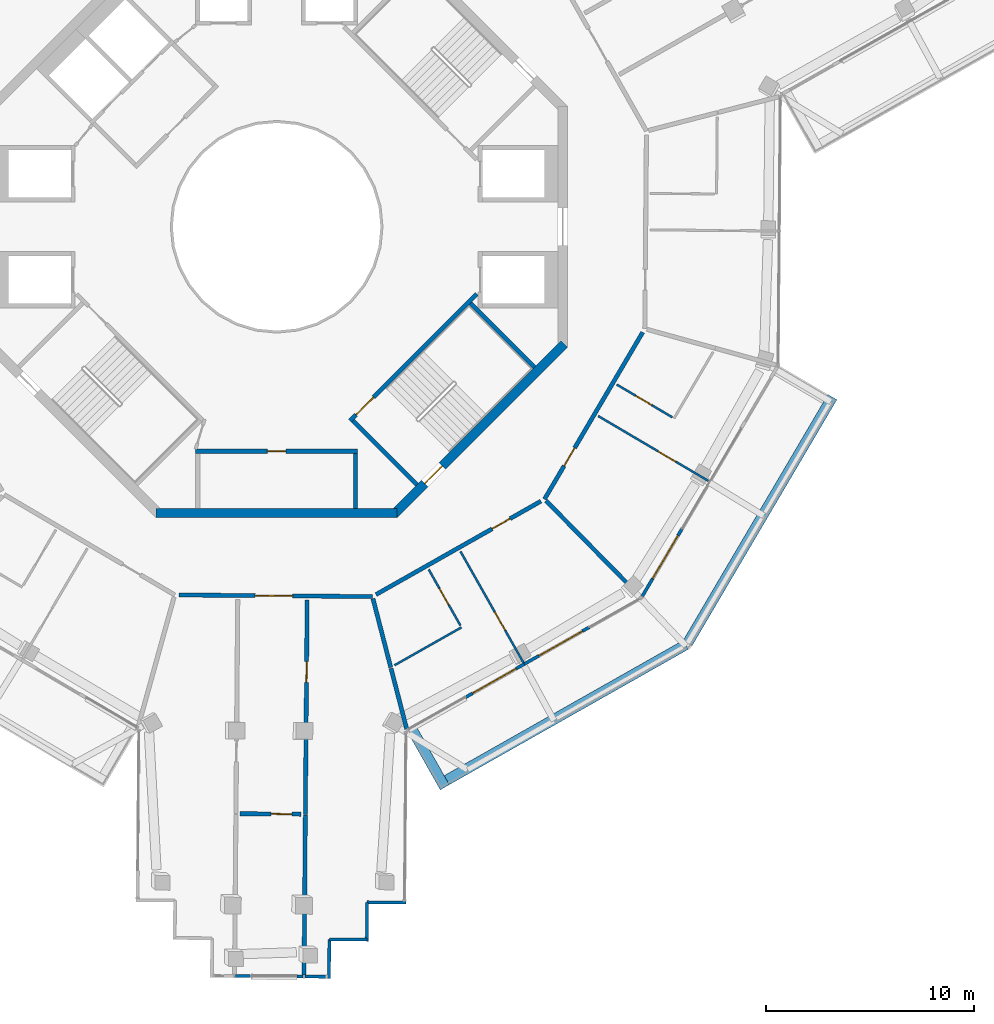
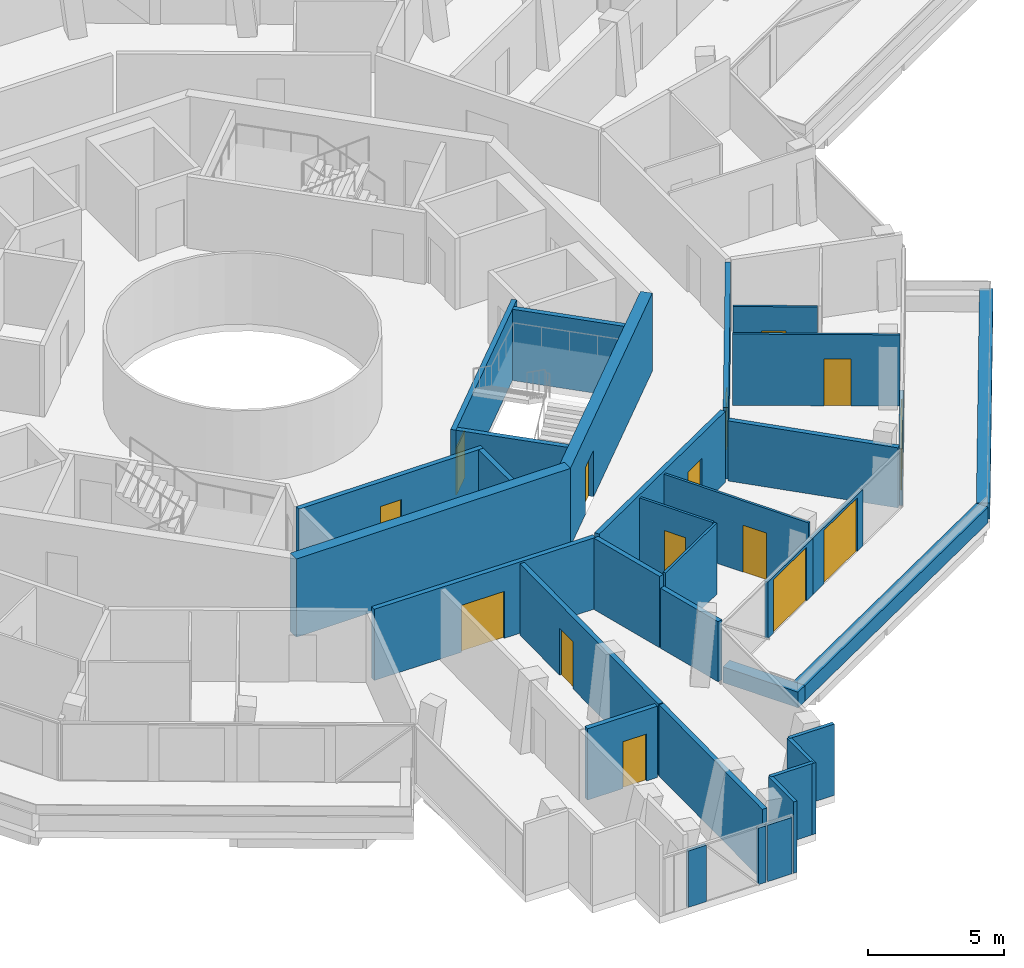
# One storey, part 17 of 24: 34 walls, 15 doors, 15 openings.
"""IFC4 building model written with IfcOpenShell, lengths in metres."""

from ifc_helpers import new_model, si_unit, direction, frame, frame_2d, origin, place, context, subcontext, project, spatial, rectangle, extrude, material, layer, layer_set, type_object, element, fill, save


model = new_model("IFC4")

# Units and contexts
model_context = context("Model", 3, precision=1e-05, world=origin(), true_north=direction((0.0, 1.0)))
body_context = subcontext(model_context, "Body", "Model", "MODEL_VIEW")
ifc_project = project(units=[si_unit("LENGTHUNIT", "METRE"), si_unit("AREAUNIT", "SQUARE_METRE"), si_unit("VOLUMEUNIT", "CUBIC_METRE"), si_unit("PLANEANGLEUNIT", "RADIAN"), si_unit("MASSUNIT", "GRAM", prefix="KILO")], contexts=[model_context])

# Site, building, storey
site_placement = place(None, origin())
site = spatial("IfcSite", under=ifc_project, at=site_placement, CompositionType="ELEMENT")
building_placement = place(site_placement, origin())
building = spatial("IfcBuilding", under=site, at=building_placement, Name="Verdalira Terraces Hotel", CompositionType="ELEMENT")
storey_placement = place(building_placement, frame((0.0, 0.0, 277.5)))
storey = spatial("IfcBuildingStorey", under=building, at=storey_placement, Name="L68", CompositionType="ELEMENT", Elevation=277.5)

# Walls
ifc_material_1 = material(Name="Concrete C40", Category="concrete")
ifc_layer_1 = layer(ifc_material_1, 0.5)
ifc_layer_set_1 = layer_set([ifc_layer_1], Name="Balcony planter trough with tree")
wall_type_1 = type_object("IfcWallType", Name="Balcony planter trough with tree", PredefinedType="SOLIDWALL", material=ifc_layer_set_1)
wall_1_placement = place(storey_placement, frame((6.514648, -24.189697, 0.0), z_axis=(0.0, 0.0, 1.0), x_axis=(0.492715997, -0.870190179, 0.0)))
element("IfcWall", 1, at=wall_1_placement, inside=storey, type_object=wall_type_1, Name="Balcony planter", PredefinedType="SOLIDWALL", context=body_context, shape_type="SweptSolid", body=[
    extrude(rectangle(XDim=3.198975, YDim=0.5, at=frame_2d((1.599609, 0.0))), origin(), (0.0, 0.0, 1.0), 0.699951),
])
wall_2_placement = place(storey_placement, frame((8.185303, -26.632568, 0.0), z_axis=(0.0, 0.0, 1.0), x_axis=(0.870181581, 0.492731181, 0.0)))
element("IfcWall", 2, at=wall_2_placement, inside=storey, type_object=wall_type_1, Name="Balcony planter", PredefinedType="SOLIDWALL", context=body_context, shape_type="SweptSolid", body=[
    extrude(rectangle(XDim=13.223389, YDim=0.5, at=frame_2d((6.611816, 0.0))), origin(), (0.0, 0.0, 1.0), 0.699951),
])
wall_3_placement = place(storey_placement, frame((19.78418, -20.026367, 0.0), z_axis=(0.0, 0.0, 1.0), x_axis=(0.507246349, 0.861801103, 0.0)))
element("IfcWall", 3, at=wall_3_placement, inside=storey, type_object=wall_type_1, Name="Balcony planter", PredefinedType="SOLIDWALL", context=body_context, shape_type="SweptSolid", body=[
    extrude(rectangle(XDim=13.723389, YDim=0.5, at=frame_2d((6.861816, 0.0))), origin(), (0.0, 0.0, 1.0), 0.699951),
])
ifc_material_2 = material(Name="Moisture-resistant gypsum board partition")
ifc_layer_2 = layer(ifc_material_2, 0.10009765625)
ifc_layer_set_2 = layer_set([ifc_layer_2], Name="Bathroom partition 100 mm")
wall_type_2 = type_object("IfcWallType", Name="Bathroom partition 100 mm", PredefinedType="PARTITIONING", material=ifc_layer_set_2)
wall_4_placement = place(storey_placement, frame((5.672119, -21.103027, 0.0), z_axis=(0.0, 0.0, 1.0), x_axis=(0.870195537, 0.492706532, 0.0)))
element("IfcWall", 4, at=wall_4_placement, inside=storey, type_object=wall_type_2, Name="Bathroom partition", PredefinedType="PARTITIONING", context=body_context, shape_type="SweptSolid", body=[
    extrude(rectangle(XDim=3.703857, YDim=0.100098, at=frame_2d((1.852051, 0.0))), origin(), (0.0, 0.0, 1.0), 3.189941),
])

# Wall, opening, door
wall_5_placement = place(storey_placement, frame((8.845947, -19.190918, 0.0), z_axis=(0.0, 0.0, 1.0), x_axis=(-0.492708506, 0.870194419, 0.0)))
wall_5 = element("IfcWall", 5, at=wall_5_placement, inside=storey, type_object=wall_type_2, Name="Bathroom partition", PredefinedType="PARTITIONING", context=body_context, shape_type="SweptSolid", body=[
    extrude(rectangle(XDim=3.099854, YDim=0.100098, at=frame_2d((1.549805, 0.0))), origin(), (0.0, 0.0, 1.0), 3.189941),
])
opening_1_placement = place(wall_5_placement, frame((1.149902, 0.0, 0.0)))
opening_1 = element("IfcOpeningElement", 6, at=opening_1_placement, cuts=wall_5, Name="Opening L68-117", PredefinedType="OPENING", context=body_context, shape_type="SweptSolid", body=[
    extrude(rectangle(XDim=0.899902, YDim=2.100098, at=frame_2d((0.449951, 1.050049))), frame((0.0, 0.060059, 0.0), z_axis=(0.0, -1.0, 0.0), x_axis=(1.0, 0.0, 0.0)), (0.0, 0.0, 1.0), 0.120117),
])
ifc_material_3 = material(Name="Timber door", Category="wood")
door_type_1 = type_object("IfcDoorType", Name="Bathroom door 900 x 2100", OperationType="NOTDEFINED", PredefinedType="DOOR", material=ifc_material_3)
door_1_placement = place(opening_1_placement, origin())
door_1 = element("IfcDoor", 7, at=door_1_placement, inside=storey, type_object=door_type_1, Name="Bathroom door 6805", OperationType="SINGLE_SWING_LEFT", OverallHeight=2.10009765625, OverallWidth=0.89990234375, PredefinedType="DOOR", context=body_context, shape_type="SweptSolid", body=[
    extrude(rectangle(XDim=0.899902, YDim=2.100098, at=frame_2d((0.449951, 1.050049))), frame((0.0, 0.024902, 0.0), z_axis=(0.0, -1.0, 0.0), x_axis=(1.0, 0.0, 0.0)), (0.0, 0.0, 1.0), 0.050049),
])
fill(opening_1, door_1)

wall_6_placement = place(storey_placement, frame((11.878906, -20.97876, 0.0), z_axis=(0.0, 0.0, 1.0), x_axis=(-0.492715069, 0.870190704, 0.0)))
wall_6 = element("IfcWall", 8, at=wall_6_placement, inside=storey, type_object=wall_type_2, Name="Bathroom partition", PredefinedType="PARTITIONING", context=body_context, shape_type="SweptSolid", body=[
    extrude(rectangle(XDim=6.150146, YDim=0.100098, at=frame_2d((3.075195, 0.0))), origin(), (0.0, 0.0, 1.0), 3.189941),
])
opening_2_placement = place(wall_6_placement, frame((1.800049, 0.0, 0.0)))
opening_2 = element("IfcOpeningElement", 9, at=opening_2_placement, cuts=wall_6, Name="Opening L68-116", PredefinedType="OPENING", context=body_context, shape_type="SweptSolid", body=[
    extrude(rectangle(XDim=1.0, YDim=2.100098, at=frame_2d((0.5, 1.050049))), frame((0.0, 0.060059, 0.0), z_axis=(0.0, -1.0, 0.0), x_axis=(1.0, 0.0, 0.0)), (0.0, 0.0, 1.0), 0.120117),
])
ifc_material_4 = material(Name="Timber door", Category="wood")
door_type_2 = type_object("IfcDoorType", Name="Suite internal door 1000 x 2100", OperationType="NOTDEFINED", PredefinedType="DOOR", material=ifc_material_4)
door_2_placement = place(opening_2_placement, origin())
door_2 = element("IfcDoor", 10, at=door_2_placement, inside=storey, type_object=door_type_2, Name="Suite internal door 6805", OperationType="SINGLE_SWING_LEFT", OverallHeight=2.10009765625, OverallWidth=1.0, PredefinedType="DOOR", context=body_context, shape_type="SweptSolid", body=[
    extrude(rectangle(XDim=1.0, YDim=2.100098, at=frame_2d((0.5, 1.050049))), frame((0.0, 0.024902, 0.0), z_axis=(0.0, -1.0, 0.0), x_axis=(1.0, 0.0, 0.0)), (0.0, 0.0, 1.0), 0.050049),
])
fill(opening_2, door_2)

wall_7_placement = place(storey_placement, frame((16.368408, -7.59375, 0.0), z_axis=(0.0, 0.0, 1.0), x_axis=(0.861798542, -0.5072507, 0.0)))
wall_7 = element("IfcWall", 11, at=wall_7_placement, inside=storey, type_object=wall_type_2, Name="Bathroom partition", PredefinedType="PARTITIONING", context=body_context, shape_type="SweptSolid", body=[
    extrude(rectangle(XDim=3.100098, YDim=0.100098, at=frame_2d((1.550049, 0.0))), origin(), (0.0, 0.0, 1.0), 3.189941),
])
opening_3_placement = place(wall_7_placement, frame((1.050049, 0.0, 0.0)))
opening_3 = element("IfcOpeningElement", 12, at=opening_3_placement, cuts=wall_7, Name="Opening L68-120", PredefinedType="OPENING", context=body_context, shape_type="SweptSolid", body=[
    extrude(rectangle(XDim=0.899902, YDim=2.100098, at=frame_2d((0.449951, 1.050049))), frame((0.0, 0.060059, 0.0), z_axis=(0.0, -1.0, 0.0), x_axis=(1.0, 0.0, 0.0)), (0.0, 0.0, 1.0), 0.120117),
])
door_3_placement = place(opening_3_placement, origin())
door_3 = element("IfcDoor", 13, at=door_3_placement, inside=storey, type_object=door_type_1, Name="Bathroom door 6806", OperationType="SINGLE_SWING_RIGHT", OverallHeight=2.10009765625, OverallWidth=0.89990234375, PredefinedType="DOOR", context=body_context, shape_type="SweptSolid", body=[
    extrude(rectangle(XDim=0.899902, YDim=2.100098, at=frame_2d((0.449951, 1.050049))), frame((0.0, 0.024902, 0.0), z_axis=(0.0, -1.0, 0.0), x_axis=(1.0, 0.0, 0.0)), (0.0, 0.0, 1.0), 0.050049),
])
fill(opening_3, door_3)

wall_8_placement = place(storey_placement, frame((15.476562, -9.109131, 0.0), z_axis=(0.0, 0.0, 1.0), x_axis=(0.861795394, -0.507256048, 0.0)))
wall_8 = element("IfcWall", 14, at=wall_8_placement, inside=storey, type_object=wall_type_2, Name="Bathroom partition", PredefinedType="PARTITIONING", context=body_context, shape_type="SweptSolid", body=[
    extrude(rectangle(XDim=6.149902, YDim=0.100098, at=frame_2d((3.074951, 0.0))), origin(), (0.0, 0.0, 1.0), 3.189941),
])
opening_4_placement = place(wall_8_placement, frame((3.350098, 0.0, 0.0)))
opening_4 = element("IfcOpeningElement", 15, at=opening_4_placement, cuts=wall_8, Name="Opening L68-119", PredefinedType="OPENING", context=body_context, shape_type="SweptSolid", body=[
    extrude(rectangle(XDim=1.0, YDim=2.100098, at=frame_2d((0.5, 1.050049))), frame((0.0, 0.060059, 0.0), z_axis=(0.0, -1.0, 0.0), x_axis=(1.0, 0.0, 0.0)), (0.0, 0.0, 1.0), 0.120117),
])
door_4_placement = place(opening_4_placement, origin())
door_4 = element("IfcDoor", 16, at=door_4_placement, inside=storey, type_object=door_type_2, Name="Suite internal door 6806", OperationType="SINGLE_SWING_LEFT", OverallHeight=2.10009765625, OverallWidth=1.0, PredefinedType="DOOR", context=body_context, shape_type="SweptSolid", body=[
    extrude(rectangle(XDim=1.0, YDim=2.100098, at=frame_2d((0.5, 1.050049))), frame((0.0, 0.024902, 0.0), z_axis=(0.0, -1.0, 0.0), x_axis=(1.0, 0.0, 0.0)), (0.0, 0.0, 1.0), 0.050049),
])
fill(opening_4, door_4)

ifc_material_5 = material(Name="Concrete C50", Category="concrete")
ifc_layer_3 = layer(ifc_material_5, 0.199951171875)
ifc_layer_set_3 = layer_set([ifc_layer_3], Name="Core RC wall 200 C50")
wall_type_3 = type_object("IfcWallType", Name="Core RC wall 200 C50", PredefinedType="SOLIDWALL", material=ifc_layer_set_3)
wall_9_placement = place(storey_placement, frame((-3.899902, -10.800049, 0.0), z_axis=(0.0, 0.0, 1.0), x_axis=(1.0, 0.0, 0.0)))
wall_9 = element("IfcWall", 17, at=wall_9_placement, inside=storey, type_object=wall_type_3, Name="L68 store front wall", PredefinedType="SOLIDWALL", context=body_context, shape_type="SweptSolid", body=[
    extrude(rectangle(XDim=7.799805, YDim=0.199951, at=frame_2d((3.899902, 0.0))), origin(), (0.0, 0.0, 1.0), 3.189941),
])
opening_5_placement = place(wall_9_placement, frame((3.449951, 0.0, 0.0)))
opening_5 = element("IfcOpeningElement", 18, at=opening_5_placement, cuts=wall_9, Name="Opening L68-801", PredefinedType="OPENING", context=body_context, shape_type="SweptSolid", body=[
    extrude(rectangle(XDim=0.899902, YDim=2.100098, at=frame_2d((0.449951, 1.050049))), frame((0.0, 0.109863, 0.0), z_axis=(0.0, -1.0, 0.0), x_axis=(1.0, 0.0, 0.0)), (0.0, 0.0, 1.0), 0.219971),
])
ifc_material_6 = material(Name="Steel fire door", Category="steel")
door_type_3 = type_object("IfcDoorType", Name="Core room door 900 x 2100", OperationType="NOTDEFINED", PredefinedType="DOOR", material=ifc_material_6)
door_5_placement = place(opening_5_placement, origin())
door_5 = element("IfcDoor", 19, at=door_5_placement, inside=storey, type_object=door_type_3, Name="Store door L68 SS", OperationType="SINGLE_SWING_LEFT", OverallHeight=2.10009765625, OverallWidth=0.89990234375, PredefinedType="DOOR", context=body_context, shape_type="SweptSolid", body=[
    extrude(rectangle(XDim=0.899902, YDim=2.100098, at=frame_2d((0.449951, 1.050049))), frame((0.0, 0.024902, 0.0), z_axis=(0.0, -1.0, 0.0), x_axis=(1.0, 0.0, 0.0)), (0.0, 0.0, 1.0), 0.050049),
])
fill(opening_5, door_5)

# Wall
wall_10_placement = place(storey_placement, frame((3.800049, -10.899902, 0.0), z_axis=(0.0, 0.0, 1.0), x_axis=(0.0, -1.0, 0.0)))
element("IfcWall", 20, at=wall_10_placement, inside=storey, type_object=wall_type_3, Name="L68 store side wall", PredefinedType="SOLIDWALL", context=body_context, shape_type="SweptSolid", body=[
    extrude(rectangle(XDim=2.650146, YDim=0.199951, at=frame_2d((1.325195, 0.0))), origin(), (0.0, 0.0, 1.0), 3.189941),
])

# Wall, opening, door
wall_11_placement = place(storey_placement, frame((9.629395, -3.23999, 0.0), z_axis=(0.0, 0.0, 1.0), x_axis=(-0.707120946, -0.707092617, 0.0)))
wall_11 = element("IfcWall", 21, at=wall_11_placement, inside=storey, type_object=wall_type_3, Name="L68 stair ST3 front wall", PredefinedType="SOLIDWALL", context=body_context, shape_type="SweptSolid", body=[
    extrude(rectangle(XDim=8.61792, YDim=0.199951, at=frame_2d((4.309082, 0.0))), origin(), (0.0, 0.0, 1.0), 3.189941),
])
opening_6_placement = place(wall_11_placement, frame((7.017822, 0.0, 0.0)))
opening_6 = element("IfcOpeningElement", 22, at=opening_6_placement, cuts=wall_11, Name="Opening L68-812", PredefinedType="OPENING", context=body_context, shape_type="SweptSolid", body=[
    extrude(rectangle(XDim=1.199951, YDim=2.100098, at=frame_2d((0.600098, 1.050049))), frame((0.0, 0.109863, 0.0), z_axis=(0.0, -1.0, 0.0), x_axis=(1.0, 0.0, 0.0)), (0.0, 0.0, 1.0), 0.219971),
])
ifc_material_7 = material(Name="Steel fire door", Category="steel")
door_type_4 = type_object("IfcDoorType", Name="Stair door 1200 x 2100", OperationType="NOTDEFINED", PredefinedType="DOOR", material=ifc_material_7)
door_6_placement = place(opening_6_placement, origin())
door_6 = element("IfcDoor", 23, at=door_6_placement, inside=storey, type_object=door_type_4, Name="Stair door ST3 L68", OperationType="SINGLE_SWING_RIGHT", OverallHeight=2.10009765625, OverallWidth=1.199951171875, PredefinedType="DOOR", context=body_context, shape_type="SweptSolid", body=[
    extrude(rectangle(XDim=1.199951, YDim=2.100098, at=frame_2d((0.600098, 1.050049))), frame((0.0, 0.024902, 0.0), z_axis=(0.0, -1.0, 0.0), x_axis=(1.0, 0.0, 0.0)), (0.0, 0.0, 1.0), 0.050049),
])
fill(opening_6, door_6)

# Walls
for number, where, z_axis, x_axis, name in (
    (24, (3.677002, -9.33374, 0.0), (0.0, 0.0, 1.0), (0.707106781, -0.707106781, 0.0), "L68 stair ST3 end wall 1"),
    (25, (9.33374, -3.677002, 0.0), (0.0, 0.0, 1.0), (0.707106781, -0.707106781, 0.0), "L68 stair ST3 end wall 2"),
):
    element("IfcWall", number, at=place(storey_placement, frame(where, z_axis=z_axis, x_axis=x_axis)), inside=storey, type_object=wall_type_3, Name=name, PredefinedType="SOLIDWALL", context=body_context, shape_type="SweptSolid", body=[
        extrude(rectangle(XDim=4.350098, YDim=0.199951, at=frame_2d((2.175049, 0.0))), origin(), (0.0, 0.0, 1.0), 3.189941),
    ])
ifc_material_8 = material(Name="Concrete C50", Category="concrete")
ifc_layer_4 = layer(ifc_material_8, 0.449951171875)
ifc_layer_set_4 = layer_set([ifc_layer_4], Name="Core wall 450 C50")
wall_type_4 = type_object("IfcWallType", Name="Core wall 450 C50", PredefinedType="SHEAR", material=ifc_layer_set_4)
wall_12_placement = place(storey_placement, frame((-5.799072, -13.774902, 0.0), z_axis=(0.0, 0.0, 1.0), x_axis=(1.0, 0.0, 0.0)))
element("IfcWall", 26, at=wall_12_placement, inside=storey, type_object=wall_type_4, Name="Core wall CW-L68-7", PredefinedType="SHEAR", context=body_context, shape_type="SweptSolid", body=[
    extrude(rectangle(XDim=11.598145, YDim=0.449951, at=frame_2d((5.799072, 0.0))), origin(), (0.0, 0.0, 1.0), 3.5),
])

# Wall, opening, door
wall_13_placement = place(storey_placement, frame((5.639893, -13.84082, 0.0), z_axis=(0.0, 0.0, 1.0), x_axis=(0.707106781, 0.707106781, 0.0)))
wall_13 = element("IfcWall", 27, at=wall_13_placement, inside=storey, type_object=wall_type_4, Name="Core wall CW-L68-8", PredefinedType="SHEAR", context=body_context, shape_type="SweptSolid", body=[
    extrude(rectangle(XDim=11.5979, YDim=0.449951, at=frame_2d((5.798828, 0.0))), origin(), (0.0, 0.0, 1.0), 3.5),
])
opening_7_placement = place(wall_13_placement, frame((2.099121, 0.0, 0.0)))
opening_7 = element("IfcOpeningElement", 28, at=opening_7_placement, cuts=wall_13, Name="Opening L68-818", PredefinedType="OPENING", context=body_context, shape_type="SweptSolid", body=[
    extrude(rectangle(XDim=1.199951, YDim=2.100098, at=frame_2d((0.600098, 1.050049))), frame((0.0, 0.234863, 0.0), z_axis=(0.0, -1.0, 0.0), x_axis=(1.0, 0.0, 0.0)), (0.0, 0.0, 1.0), 0.469971),
])
door_7_placement = place(opening_7_placement, origin())
door_7 = element("IfcDoor", 29, at=door_7_placement, inside=storey, type_object=door_type_4, Name="Stair exit door ST3 L68", OperationType="SINGLE_SWING_LEFT", OverallHeight=2.10009765625, OverallWidth=1.199951171875, PredefinedType="DOOR", context=body_context, shape_type="SweptSolid", body=[
    extrude(rectangle(XDim=1.199951, YDim=2.100098, at=frame_2d((0.600098, 1.050049))), frame((0.0, 0.024902, 0.0), z_axis=(0.0, -1.0, 0.0), x_axis=(1.0, 0.0, 0.0)), (0.0, 0.0, 1.0), 0.050049),
])
fill(opening_7, door_7)

ifc_material_9 = material(Name="Fire-rated gypsum board wall")
ifc_layer_5 = layer(ifc_material_9, 0.199951171875)
ifc_layer_set_5 = layer_set([ifc_layer_5], Name="Demising wall 200 mm")
wall_type_5 = type_object("IfcWallType", Name="Demising wall 200 mm", PredefinedType="SOLIDWALL", material=ifc_layer_set_5)
wall_14_placement = place(storey_placement, frame((1.181396, -28.269287, 0.0), z_axis=(0.0, 0.0, 1.0), x_axis=(-0.999964858, 0.008383535, 0.0)))
wall_14 = element("IfcWall", 30, at=wall_14_placement, inside=storey, type_object=wall_type_5, Name="Demising wall", PredefinedType="SOLIDWALL", context=body_context, shape_type="SweptSolid", body=[
    extrude(rectangle(XDim=2.941162, YDim=0.199951, at=frame_2d((1.470703, 0.0))), origin(), (0.0, 0.0, 1.0), 3.189941),
])
opening_8_placement = place(wall_14_placement, frame((0.449951, 0.0, 0.0)))
opening_8 = element("IfcOpeningElement", 31, at=opening_8_placement, cuts=wall_14, Name="Opening L68-114", PredefinedType="OPENING", context=body_context, shape_type="SweptSolid", body=[
    extrude(rectangle(XDim=1.0, YDim=2.100098, at=frame_2d((0.5, 1.050049))), frame((0.0, 0.109863, 0.0), z_axis=(0.0, -1.0, 0.0), x_axis=(1.0, 0.0, 0.0)), (0.0, 0.0, 1.0), 0.219971),
])
ifc_material_10 = material(Name="Timber fire door", Category="wood")
door_type_5 = type_object("IfcDoorType", Name="Public room door 1000 x 2100", OperationType="NOTDEFINED", PredefinedType="DOOR", material=ifc_material_10)
door_8_placement = place(opening_8_placement, origin())
door_8 = element("IfcDoor", 32, at=door_8_placement, inside=storey, type_object=door_type_5, Name="Public room door 6804", OperationType="SINGLE_SWING_LEFT", OverallHeight=2.10009765625, OverallWidth=1.0, PredefinedType="DOOR", context=body_context, shape_type="SweptSolid", body=[
    extrude(rectangle(XDim=1.0, YDim=2.100098, at=frame_2d((0.5, 1.050049))), frame((0.0, 0.024902, 0.0), z_axis=(0.0, -1.0, 0.0), x_axis=(1.0, 0.0, 0.0)), (0.0, 0.0, 1.0), 0.050049),
])
fill(opening_8, door_8)

# Wall
wall_15_placement = place(storey_placement, frame((1.31665, -36.008789, 0.0), z_axis=(0.0, 0.0, 1.0), x_axis=(0.00838119, 0.999964877, 0.0)))
element("IfcWall", 33, at=wall_15_placement, inside=storey, type_object=wall_type_5, Name="Demising wall", PredefinedType="SOLIDWALL", context=body_context, shape_type="SweptSolid", body=[
    extrude(rectangle(XDim=7.690186, YDim=0.199951, at=frame_2d((3.845215, 0.0))), origin(), (0.0, 0.0, 1.0), 3.189941),
])

# Wall, opening, door
wall_16_placement = place(storey_placement, frame((1.467773, -17.971191, 0.0), z_axis=(0.0, 0.0, 1.0), x_axis=(-0.008389126, -0.999964811, 0.0)))
wall_16 = element("IfcWall", 34, at=wall_16_placement, inside=storey, type_object=wall_type_5, Name="Demising wall", PredefinedType="SOLIDWALL", context=body_context, shape_type="SweptSolid", body=[
    extrude(rectangle(XDim=10.302002, YDim=0.199951, at=frame_2d((5.150879, 0.0))), origin(), (0.0, 0.0, 1.0), 3.189941),
])
opening_9_placement = place(wall_16_placement, frame((2.949951, 0.0, 0.0)))
opening_9 = element("IfcOpeningElement", 35, at=opening_9_placement, cuts=wall_16, Name="Opening L68-113", PredefinedType="OPENING", context=body_context, shape_type="SweptSolid", body=[
    extrude(rectangle(XDim=1.0, YDim=2.100098, at=frame_2d((0.5, 1.050049))), frame((0.0, 0.109863, 0.0), z_axis=(0.0, -1.0, 0.0), x_axis=(1.0, 0.0, 0.0)), (0.0, 0.0, 1.0), 0.219971),
])
door_9_placement = place(opening_9_placement, origin())
door_9 = element("IfcDoor", 36, at=door_9_placement, inside=storey, type_object=door_type_5, Name="Public room door 6804", OperationType="SINGLE_SWING_LEFT", OverallHeight=2.10009765625, OverallWidth=1.0, PredefinedType="DOOR", context=body_context, shape_type="SweptSolid", body=[
    extrude(rectangle(XDim=1.0, YDim=2.100098, at=frame_2d((0.5, 1.050049))), frame((0.0, 0.024902, 0.0), z_axis=(0.0, -1.0, 0.0), x_axis=(1.0, 0.0, 0.0)), (0.0, 0.0, 1.0), 0.050049),
])
fill(opening_9, door_9)

# Walls
wall_17_placement = place(storey_placement, frame((4.635254, -17.897705, 0.0), z_axis=(0.0, 0.0, 1.0), x_axis=(0.250744047, -0.968053419, 0.0)))
element("IfcWall", 37, at=wall_17_placement, inside=storey, type_object=wall_type_5, Name="Demising wall", PredefinedType="SOLIDWALL", context=body_context, shape_type="SweptSolid", body=[
    extrude(rectangle(XDim=3.418457, YDim=0.199951, at=frame_2d((1.709229, 0.0))), origin(), (0.0, 0.0, 1.0), 3.189941),
])
ifc_material_11 = material(Name="Fire-rated gypsum board wall")
ifc_layer_6 = layer(ifc_material_11, 0.199951171875)
ifc_layer_set_6 = layer_set([ifc_layer_6], Name="Demising wall 200 mm to beam soffit")
wall_type_6 = type_object("IfcWallType", Name="Demising wall 200 mm to beam soffit", PredefinedType="SOLIDWALL", material=ifc_layer_set_6)
wall_18_placement = place(storey_placement, frame((5.503906, -21.251465, 0.0), z_axis=(0.0, 0.0, 1.0), x_axis=(0.250672354, -0.968071986, 0.0)))
element("IfcWall", 38, at=wall_18_placement, inside=storey, type_object=wall_type_6, Name="Demising wall", PredefinedType="SOLIDWALL", context=body_context, shape_type="SweptSolid", body=[
    extrude(rectangle(XDim=3.011475, YDim=0.199951, at=frame_2d((1.505859, 0.0))), origin(), (0.0, 0.0, 1.0), 2.689941),
])
wall_19_placement = place(storey_placement, frame((12.963135, -13.182373, 0.0), z_axis=(0.0, 0.0, 1.0), x_axis=(0.701182118, -0.712982214, 0.0)))
element("IfcWall", 39, at=wall_19_placement, inside=storey, type_object=wall_type_6, Name="Demising wall", PredefinedType="SOLIDWALL", context=body_context, shape_type="SweptSolid", body=[
    extrude(rectangle(XDim=6.47583, YDim=0.199951, at=frame_2d((3.237793, 0.0))), origin(), (0.0, 0.0, 1.0), 2.689941),
])

# Wall, opening, door
ifc_material_12 = material(Name="Fire-rated gypsum board wall")
ifc_layer_7 = layer(ifc_material_12, 0.199951171875)
ifc_layer_set_7 = layer_set([ifc_layer_7], Name="Guest corridor wall 200 mm")
wall_type_7 = type_object("IfcWallType", Name="Guest corridor wall 200 mm", PredefinedType="SOLIDWALL", material=ifc_layer_set_7)
wall_20_placement = place(storey_placement, frame((4.609375, -17.797607, 0.0), z_axis=(0.0, 0.0, 1.0), x_axis=(-0.99996484, 0.008385669, 0.0)))
wall_20 = element("IfcWall", 40, at=wall_20_placement, inside=storey, type_object=wall_type_7, Name="Guest corridor wall", PredefinedType="SOLIDWALL", context=body_context, shape_type="SweptSolid", body=[
    extrude(rectangle(XDim=9.316406, YDim=0.199951, at=frame_2d((4.658203, 0.0))), origin(), (0.0, 0.0, 1.0), 3.189941),
])
opening_10_placement = place(wall_20_placement, frame((3.840088, 0.0, 0.0)))
opening_10 = element("IfcOpeningElement", 41, at=opening_10_placement, cuts=wall_20, Name="Opening L68-111", PredefinedType="OPENING", context=body_context, shape_type="SweptSolid", body=[
    extrude(rectangle(XDim=1.800049, YDim=2.100098, at=frame_2d((0.899902, 1.050049))), frame((0.0, 0.109863, 0.0), z_axis=(0.0, -1.0, 0.0), x_axis=(1.0, 0.0, 0.0)), (0.0, 0.0, 1.0), 0.219971),
])
ifc_material_13 = material(Name="Timber fire door", Category="wood")
door_type_6 = type_object("IfcDoorType", Name="Public room double door 1800 x 2100", OperationType="NOTDEFINED", PredefinedType="DOOR", material=ifc_material_13)
door_10_placement = place(opening_10_placement, origin())
door_10 = element("IfcDoor", 42, at=door_10_placement, inside=storey, type_object=door_type_6, Name="Public room double door 6804", OperationType="DOUBLE_DOOR_SINGLE_SWING", OverallHeight=2.10009765625, OverallWidth=1.800048828125, PredefinedType="DOOR", context=body_context, shape_type="SweptSolid", body=[
    extrude(rectangle(XDim=1.800049, YDim=2.100098, at=frame_2d((0.899902, 1.050049))), frame((0.0, 0.024902, 0.0), z_axis=(0.0, -1.0, 0.0), x_axis=(1.0, 0.0, 0.0)), (0.0, 0.0, 1.0), 0.050049),
])
fill(opening_10, door_10)

wall_21_placement = place(storey_placement, frame((12.716553, -13.207031, 0.0), z_axis=(0.0, 0.0, 1.0), x_axis=(-0.870186015, -0.492723349, 0.0)))
wall_21 = element("IfcWall", 43, at=wall_21_placement, inside=storey, type_object=wall_type_7, Name="Guest corridor wall", PredefinedType="SOLIDWALL", context=body_context, shape_type="SweptSolid", body=[
    extrude(rectangle(XDim=9.116455, YDim=0.199951, at=frame_2d((4.558105, 0.0))), origin(), (0.0, 0.0, 1.0), 3.189941),
])
opening_11_placement = place(wall_21_placement, frame((1.699951, 0.0, 0.0)))
opening_11 = element("IfcOpeningElement", 44, at=opening_11_placement, cuts=wall_21, Name="Opening L68-115", PredefinedType="OPENING", context=body_context, shape_type="SweptSolid", body=[
    extrude(rectangle(XDim=1.0, YDim=2.100098, at=frame_2d((0.5, 1.050049))), frame((0.0, 0.109863, 0.0), z_axis=(0.0, -1.0, 0.0), x_axis=(1.0, 0.0, 0.0)), (0.0, 0.0, 1.0), 0.219971),
])
ifc_material_14 = material(Name="Timber fire door", Category="wood")
door_type_7 = type_object("IfcDoorType", Name="Guest entry door 1000 x 2100", OperationType="NOTDEFINED", PredefinedType="DOOR", material=ifc_material_14)
door_11_placement = place(opening_11_placement, origin())
door_11 = element("IfcDoor", 45, at=door_11_placement, inside=storey, type_object=door_type_7, Name="Guest entry door 6805", OperationType="SINGLE_SWING_LEFT", OverallHeight=2.10009765625, OverallWidth=1.0, PredefinedType="DOOR", context=body_context, shape_type="SweptSolid", body=[
    extrude(rectangle(XDim=1.0, YDim=2.100098, at=frame_2d((0.5, 1.050049))), frame((0.0, 0.024902, 0.0), z_axis=(0.0, -1.0, 0.0), x_axis=(1.0, 0.0, 0.0)), (0.0, 0.0, 1.0), 0.050049),
])
fill(opening_11, door_11)

wall_22_placement = place(storey_placement, frame((17.616455, -5.079346, 0.0), z_axis=(0.0, 0.0, 1.0), x_axis=(-0.507248004, -0.861800129, 0.0)))
wall_22 = element("IfcWall", 46, at=wall_22_placement, inside=storey, type_object=wall_type_7, Name="Guest corridor wall", PredefinedType="SOLIDWALL", context=body_context, shape_type="SweptSolid", body=[
    extrude(rectangle(XDim=9.31665, YDim=0.199951, at=frame_2d((4.658203, 0.0))), origin(), (0.0, 0.0, 1.0), 3.189941),
])
opening_12_placement = place(wall_22_placement, frame((6.458252, 0.0, 0.0)))
opening_12 = element("IfcOpeningElement", 47, at=opening_12_placement, cuts=wall_22, Name="Opening L68-118", PredefinedType="OPENING", context=body_context, shape_type="SweptSolid", body=[
    extrude(rectangle(XDim=1.0, YDim=2.100098, at=frame_2d((0.5, 1.050049))), frame((0.0, 0.109863, 0.0), z_axis=(0.0, -1.0, 0.0), x_axis=(1.0, 0.0, 0.0)), (0.0, 0.0, 1.0), 0.219971),
])
door_12_placement = place(opening_12_placement, origin())
door_12 = element("IfcDoor", 48, at=door_12_placement, inside=storey, type_object=door_type_7, Name="Guest entry door 6806", OperationType="SINGLE_SWING_LEFT", OverallHeight=2.10009765625, OverallWidth=1.0, PredefinedType="DOOR", context=body_context, shape_type="SweptSolid", body=[
    extrude(rectangle(XDim=1.0, YDim=2.100098, at=frame_2d((0.5, 1.050049))), frame((0.0, 0.024902, 0.0), z_axis=(0.0, -1.0, 0.0), x_axis=(1.0, 0.0, 0.0)), (0.0, 0.0, 1.0), 0.050049),
])
fill(opening_12, door_12)

# Walls
ifc_material_15 = material(Name="Terracotta cladding", Category="masonry")
ifc_layer_8 = layer(ifc_material_15, 0.14990234375)
ifc_layer_set_8 = layer_set([ifc_layer_8], Name="Terracotta clad wall 150")
wall_type_8 = type_object("IfcWallType", Name="Terracotta clad wall 150", PredefinedType="SOLIDWALL", material=ifc_layer_set_8)
wall_23_placement = place(storey_placement, frame((2.521973, -36.168701, 0.0), z_axis=(0.0, 0.0, 1.0), x_axis=(0.008464341, 0.999964177, 0.0)))
element("IfcWall", 49, at=wall_23_placement, inside=storey, type_object=wall_type_8, Name="Terracotta cladding wall", PredefinedType="SOLIDWALL", context=body_context, shape_type="SweptSolid", body=[
    extrude(rectangle(XDim=1.874756, YDim=0.149902, at=frame_2d((0.9375, 0.0))), origin(), (0.0, 0.0, 1.0), 3.189941),
])
wall_24_placement = place(storey_placement, frame((2.537842, -34.293945, 0.0), z_axis=(0.0, 0.0, 1.0), x_axis=(0.999965768, -0.008274269, 0.0)))
element("IfcWall", 50, at=wall_24_placement, inside=storey, type_object=wall_type_8, Name="Terracotta cladding wall", PredefinedType="SOLIDWALL", context=body_context, shape_type="SweptSolid", body=[
    extrude(rectangle(XDim=1.799805, YDim=0.149902, at=frame_2d((0.899902, 0.0))), origin(), (0.0, 0.0, 1.0), 3.189941),
])
for number, where, z_axis, x_axis, name in (
    (51, (4.337158, -34.384033, 0.0), (0.0, 0.0, 1.0), (0.008333044, 0.99996528, 0.0), "Terracotta cladding wall"),
    (52, (4.352783, -32.509033, 0.0), (0.0, 0.0, 1.0), (0.99996528, -0.008333044, 0.0), "Terracotta cladding wall"),
):
    element("IfcWall", number, at=place(storey_placement, frame(where, z_axis=z_axis, x_axis=x_axis)), inside=storey, type_object=wall_type_8, Name=name, PredefinedType="SOLIDWALL", context=body_context, shape_type="SweptSolid", body=[
        extrude(rectangle(XDim=1.875, YDim=0.149902, at=frame_2d((0.9375, 0.0))), origin(), (0.0, 0.0, 1.0), 3.189941),
    ])
ifc_material_16 = material(Name="Terracotta cladding", Category="masonry")
ifc_layer_9 = layer(ifc_material_16, 0.14990234375)
ifc_layer_set_9 = layer_set([ifc_layer_9], Name="Terracotta column pier 150")
wall_type_9 = type_object("IfcWallType", Name="Terracotta column pier 150", PredefinedType="SOLIDWALL", material=ifc_layer_set_9)
wall_25_placement = place(storey_placement, frame((-1.985107, -36.055908, 0.0), z_axis=(0.0, 0.0, 1.0), x_axis=(0.999964671, -0.008405781, 0.0)))
element("IfcWall", 53, at=wall_25_placement, inside=storey, type_object=wall_type_9, Name="Terracotta column pier", PredefinedType="SOLIDWALL", context=body_context, shape_type="SweptSolid", body=[
    extrude(rectangle(XDim=0.755127, YDim=0.149902, at=frame_2d((0.377441, 0.0))), origin(), (0.0, 0.0, 1.0), 2.524902),
])
wall_26_placement = place(storey_placement, frame((0.976074, -36.080811, 0.0), z_axis=(0.0, 0.0, 1.0), x_axis=(0.999966845, -0.008143052, 0.0)))
element("IfcWall", 54, at=wall_26_placement, inside=storey, type_object=wall_type_9, Name="Terracotta column pier", PredefinedType="SOLIDWALL", context=body_context, shape_type="SweptSolid", body=[
    extrude(rectangle(XDim=0.299805, YDim=0.149902, at=frame_2d((0.149902, 0.0))), origin(), (0.0, 0.0, 1.0), 2.524902),
])
wall_27_placement = place(storey_placement, frame((1.355957, -36.083984, 0.0), z_axis=(0.0, 0.0, 1.0), x_axis=(0.999964335, -0.008445645, 0.0)))
element("IfcWall", 55, at=wall_27_placement, inside=storey, type_object=wall_type_9, Name="Terracotta column pier", PredefinedType="SOLIDWALL", context=body_context, shape_type="SweptSolid", body=[
    extrude(rectangle(XDim=1.011719, YDim=0.149902, at=frame_2d((0.505859, 0.0))), origin(), (0.0, 0.0, 1.0), 2.524902),
])

# Wall, opening, door
ifc_material_17 = material(Name="Terracotta cladding", Category="masonry")
ifc_layer_10 = layer(ifc_material_17, 0.14990234375)
ifc_layer_set_10 = layer_set([ifc_layer_10], Name="Terracotta door pier 150")
wall_type_10 = type_object("IfcWallType", Name="Terracotta door pier 150", PredefinedType="SOLIDWALL", material=ifc_layer_set_10)
wall_28_placement = place(storey_placement, frame((9.087646, -22.645264, 0.0), z_axis=(0.0, 0.0, 1.0), x_axis=(0.870191834, 0.492713073, 0.0)))
wall_28 = element("IfcWall", 56, at=wall_28_placement, inside=storey, type_object=wall_type_10, Name="Terracotta door pier", PredefinedType="SOLIDWALL", context=body_context, shape_type="SweptSolid", body=[
    extrude(rectangle(XDim=3.25, YDim=0.149902, at=frame_2d((1.625, 0.0))), origin(), (0.0, 0.0, 1.0), 2.524902),
])
opening_13_placement = place(wall_28_placement, frame((0.399902, 0.0, 0.0)))
opening_13 = element("IfcOpeningElement", 57, at=opening_13_placement, cuts=wall_28, Name="Opening L68-B08", PredefinedType="OPENING", context=body_context, shape_type="SweptSolid", body=[
    extrude(rectangle(XDim=2.399902, YDim=2.399902, at=frame_2d((1.199951, 1.199951))), frame((0.0, 0.084961, 0.0), z_axis=(0.0, -1.0, 0.0), x_axis=(1.0, 0.0, 0.0)), (0.0, 0.0, 1.0), 0.169922),
])
ifc_material_18 = material(Name="Clear glass", Category="glass")
door_type_8 = type_object("IfcDoorType", Name="Balcony sliding door 2400x2400", OperationType="NOTDEFINED", PredefinedType="DOOR", material=ifc_material_18)
door_13_placement = place(opening_13_placement, origin())
door_13 = element("IfcDoor", 58, at=door_13_placement, inside=storey, type_object=door_type_8, Name="Balcony sliding door", OperationType="SLIDING_TO_RIGHT", OverallHeight=2.39990234375, OverallWidth=2.39990234375, PredefinedType="DOOR", context=body_context, shape_type="SweptSolid", body=[
    extrude(rectangle(XDim=2.399902, YDim=2.399902, at=frame_2d((1.199951, 1.199951))), frame((0.0, 0.024902, 0.0), z_axis=(0.0, -1.0, 0.0), x_axis=(1.0, 0.0, 0.0)), (0.0, 0.0, 1.0), 0.050049),
])
fill(opening_13, door_13)

wall_29_placement = place(storey_placement, frame((11.915771, -21.043945, 0.0), z_axis=(0.0, 0.0, 1.0), x_axis=(0.870199981, 0.492698684, 0.0)))
wall_29 = element("IfcWall", 59, at=wall_29_placement, inside=storey, type_object=wall_type_10, Name="Terracotta door pier", PredefinedType="SOLIDWALL", context=body_context, shape_type="SweptSolid", body=[
    extrude(rectangle(XDim=3.611328, YDim=0.149902, at=frame_2d((1.805664, 0.0))), origin(), (0.0, 0.0, 1.0), 2.524902),
])
opening_14_placement = place(wall_29_placement, frame((0.811279, 0.0, 0.0)))
opening_14 = element("IfcOpeningElement", 60, at=opening_14_placement, cuts=wall_29, Name="Opening L68-B09", PredefinedType="OPENING", context=body_context, shape_type="SweptSolid", body=[
    extrude(rectangle(XDim=2.399902, YDim=2.399902, at=frame_2d((1.199951, 1.199951))), frame((0.0, 0.084961, 0.0), z_axis=(0.0, -1.0, 0.0), x_axis=(1.0, 0.0, 0.0)), (0.0, 0.0, 1.0), 0.169922),
])
door_14_placement = place(opening_14_placement, origin())
door_14 = element("IfcDoor", 61, at=door_14_placement, inside=storey, type_object=door_type_8, Name="Balcony sliding door", OperationType="SLIDING_TO_LEFT", OverallHeight=2.39990234375, OverallWidth=2.39990234375, PredefinedType="DOOR", context=body_context, shape_type="SweptSolid", body=[
    extrude(rectangle(XDim=2.399902, YDim=2.399902, at=frame_2d((1.199951, 1.199951))), frame((0.0, 0.024902, 0.0), z_axis=(0.0, -1.0, 0.0), x_axis=(1.0, 0.0, 0.0)), (0.0, 0.0, 1.0), 0.050049),
])
fill(opening_14, door_14)

wall_30_placement = place(storey_placement, frame((17.595215, -17.781982, 0.0), z_axis=(0.0, 0.0, 1.0), x_axis=(0.507242714, 0.861803243, 0.0)))
wall_30 = element("IfcWall", 62, at=wall_30_placement, inside=storey, type_object=wall_type_10, Name="Terracotta door pier", PredefinedType="SOLIDWALL", context=body_context, shape_type="SweptSolid", body=[
    extrude(rectangle(XDim=3.786377, YDim=0.149902, at=frame_2d((1.893066, 0.0))), origin(), (0.0, 0.0, 1.0), 2.524902),
])
opening_15_placement = place(wall_30_placement, frame((0.986572, 0.0, 0.0)))
opening_15 = element("IfcOpeningElement", 63, at=opening_15_placement, cuts=wall_30, Name="Opening L68-B10", PredefinedType="OPENING", context=body_context, shape_type="SweptSolid", body=[
    extrude(rectangle(XDim=2.399902, YDim=2.399902, at=frame_2d((1.199951, 1.199951))), frame((0.0, 0.084961, 0.0), z_axis=(0.0, -1.0, 0.0), x_axis=(1.0, 0.0, 0.0)), (0.0, 0.0, 1.0), 0.169922),
])
door_15_placement = place(opening_15_placement, origin())
door_15 = element("IfcDoor", 64, at=door_15_placement, inside=storey, type_object=door_type_8, Name="Balcony sliding door", OperationType="SLIDING_TO_LEFT", OverallHeight=2.39990234375, OverallWidth=2.39990234375, PredefinedType="DOOR", context=body_context, shape_type="SweptSolid", body=[
    extrude(rectangle(XDim=2.399902, YDim=2.399902, at=frame_2d((1.199951, 1.199951))), frame((0.0, 0.024902, 0.0), z_axis=(0.0, -1.0, 0.0), x_axis=(1.0, 0.0, 0.0)), (0.0, 0.0, 1.0), 0.050049),
])
fill(opening_15, door_15)

save(model, "model.ifc")
